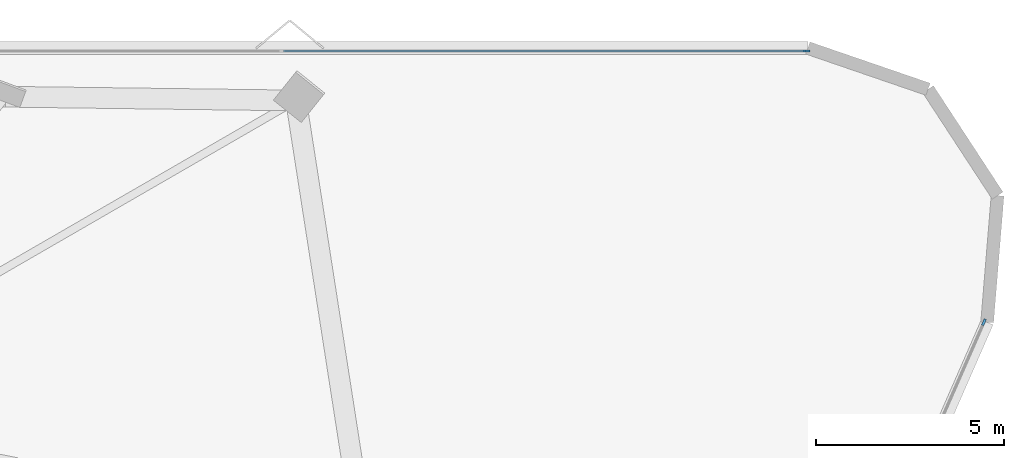
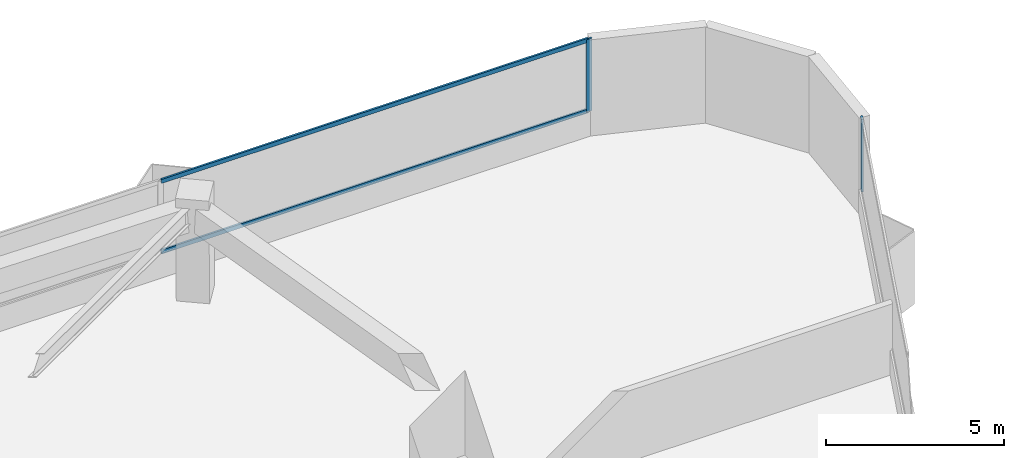
# One storey, part 14 of 20: 4 members, 2 elements without a shape of their own.
"""IFC4 building model written with IfcOpenShell, lengths in metres."""

from ifc_helpers import new_model, si_unit, direction, frame, origin, origin_2d, place, context, subcontext, project, spatial, rectangle, extrude, material, layer, layer_set, material_profile, profile_set, type_object, element, aggregate, save


model = new_model("IFC4")

# Units and contexts
model_context = context("Model", 3, precision=1e-05, world=origin(), true_north=direction((0.0, 1.0)))
body_context = subcontext(model_context, "Body", "Model", "MODEL_VIEW")
ifc_project = project(units=[si_unit("LENGTHUNIT", "METRE"), si_unit("AREAUNIT", "SQUARE_METRE"), si_unit("VOLUMEUNIT", "CUBIC_METRE"), si_unit("PLANEANGLEUNIT", "RADIAN"), si_unit("MASSUNIT", "GRAM", prefix="KILO")], contexts=[model_context])

# Site, building, storey
site_placement = place(None, origin())
site = spatial("IfcSite", under=ifc_project, at=site_placement, CompositionType="ELEMENT")
building_placement = place(site_placement, origin())
building = spatial("IfcBuilding", under=site, at=building_placement, Name="Talyreon Biosciences Tower", CompositionType="ELEMENT")
storey_placement = place(building_placement, frame((0.0, 0.0, 62.949951171875)))
storey = spatial("IfcBuildingStorey", under=building, at=storey_placement, Name="L16", CompositionType="ELEMENT", Elevation=62.949951171875)

# Curtain wall, member
ifc_material_1 = material(Name="Thermally broken aluminium and low-E glazing", Category="aluminium")
ifc_layer = layer(ifc_material_1, 0.195068359375)
ifc_layer_set = layer_set([ifc_layer], Name="Thermally broken aluminium and low-E glazing")
curtain_wall_type = type_object("IfcCurtainWallType", Name="CurtainWall_Zone1WetLab", PredefinedType="NOTDEFINED", material=ifc_layer_set)
curtain_wall_1_placement = place(storey_placement, origin())
curtain_wall_1 = element("IfcCurtainWall", 1, at=curtain_wall_1_placement, inside=storey, type_object=curtain_wall_type, Name="L16 Unitised Curtain Wall FCW-L16-04", PredefinedType="NOTDEFINED")
ifc_material_2 = material(Name="Anodised thermally broken aluminium", Category="aluminium")
ifc_material_profile_1 = material_profile(ifc_material_2, rectangle(XDim=0.06494140625, YDim=0.179931640625, at=origin_2d()), Name="ALUM MULLION 65x180")
ifc_profile_set_1 = profile_set([ifc_material_profile_1], Name="Anodised thermally broken aluminium")
member_type_1 = type_object("IfcMemberType", Name="CWMullion_65x180", PredefinedType="MULLION", material=ifc_profile_set_1)
member_1_placement = place(storey_placement, frame((93.8828125, 91.373779296875, 0.81005859375), z_axis=(0.0, 0.0, 1.0), x_axis=(0.0, 1.0, 0.0)))
member_1 = element("IfcMember", 2, at=member_1_placement, type_object=member_type_1, Name="CW2 mullion 5", PredefinedType="MULLION", context=body_context, shape_type="SweptSolid", body=[
    extrude(rectangle(XDim=0.06494140625, YDim=0.179931640625, at=origin_2d()), origin(), (0.0, 0.0, 1.0), 2.489990234375),
])

curtain_wall_2_placement = place(storey_placement, origin())
curtain_wall_2 = element("IfcCurtainWall", 3, at=curtain_wall_2_placement, inside=storey, type_object=curtain_wall_type, Name="L16 Unitised Curtain Wall FCW-L16-08", PredefinedType="NOTDEFINED")
member_2_placement = place(storey_placement, frame((98.5927734375, 84.171142578125, 0.81005859375), z_axis=(0.0, 0.0, 1.0), x_axis=(0.916092182361, -0.400967721165, 0.0)))
member_2 = element("IfcMember", 4, at=member_2_placement, type_object=member_type_1, Name="CW2 mullion 1", PredefinedType="MULLION", context=body_context, shape_type="SweptSolid", body=[
    extrude(rectangle(XDim=0.06494140625, YDim=0.179931640625, at=origin_2d()), origin(), (0.0, 0.0, 1.0), 2.489990234375),
])
aggregate(curtain_wall_2, [member_2])

# Member
ifc_material_profile_2 = material_profile(ifc_material_2, rectangle(XDim=0.06494140625, YDim=0.139892578125, at=origin_2d()), Name="ALUM TRANSOM 65x140")
ifc_profile_set_2 = profile_set([ifc_material_profile_2], Name="Anodised thermally broken aluminium")
member_type_2 = type_object("IfcMemberType", Name="CWTransom_65x140", PredefinedType="USERDEFINED", material=ifc_profile_set_2)
member_3_placement = place(storey_placement, frame((79.990234375, 91.373779296875, 0.842529296875), z_axis=(1.0, 0.0, 0.0), x_axis=(0.0, 1.0, 0.0)))
member_3 = element("IfcMember", 5, at=member_3_placement, type_object=member_type_2, Name="CW2 transom 4.1", ObjectType="TRANSOM", PredefinedType="USERDEFINED", context=body_context, shape_type="SweptSolid", body=[
    extrude(rectangle(XDim=0.06494140625, YDim=0.139892578125, at=origin_2d()), origin(), (0.0, 0.0, 1.0), 13.860107421875),
])

member_4_placement = place(storey_placement, frame((79.990234375, 91.373779296875, 3.267578125), z_axis=(1.0, 0.0, 0.0), x_axis=(0.0, 1.0, 0.0)))
member_4 = element("IfcMember", 6, at=member_4_placement, type_object=member_type_2, Name="CW2 transom 4.2", ObjectType="TRANSOM", PredefinedType="USERDEFINED", context=body_context, shape_type="SweptSolid", body=[
    extrude(rectangle(XDim=0.06494140625, YDim=0.139892578125, at=origin_2d()), origin(), (0.0, 0.0, 1.0), 13.860107421875),
])

aggregate(curtain_wall_1, [member_1, member_3, member_4])

save(model, "model.ifc")
